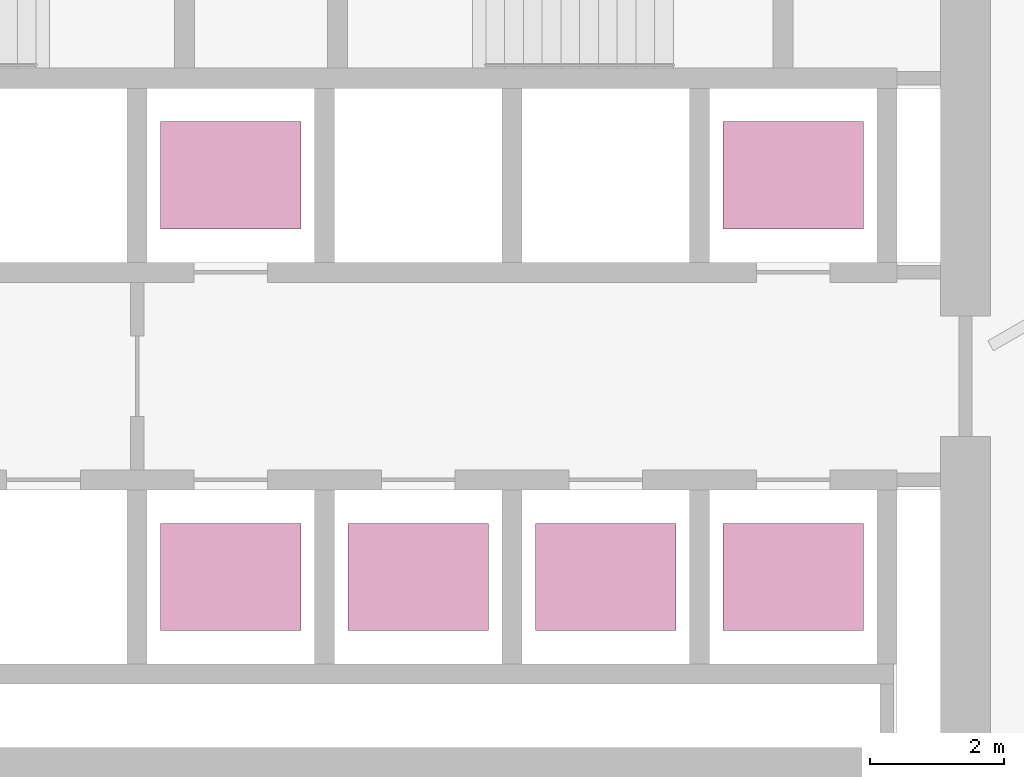
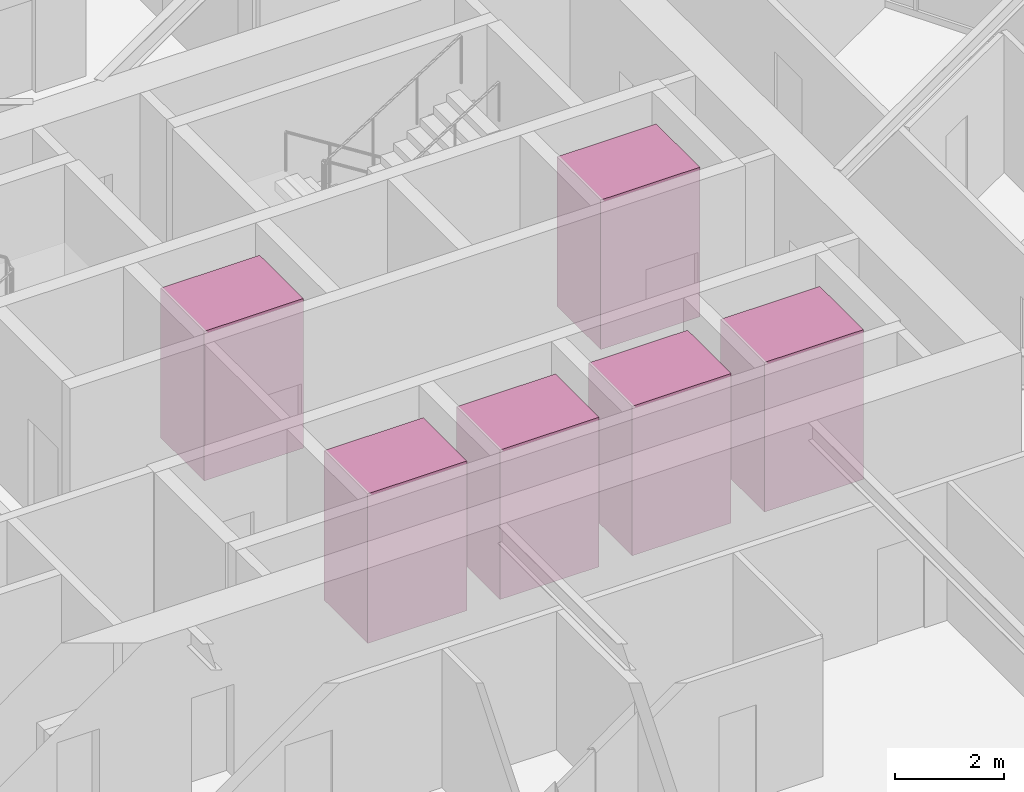
# One storey, part 19 of 19: 6 transport elements.
"""IFC4 building model written with IfcOpenShell, lengths in metres."""

from ifc_helpers import new_model, si_unit, direction, frame, origin, origin_2d, place, context, subcontext, project, spatial, rectangle, extrude, material, type_object, element, save


model = new_model("IFC4")

# Units and contexts
model_context = context("Model", 3, precision=1e-05, world=origin(), true_north=direction((0.0, 1.0)))
body_context = subcontext(model_context, "Body", "Model", "MODEL_VIEW")
ifc_project = project(units=[si_unit("LENGTHUNIT", "METRE"), si_unit("AREAUNIT", "SQUARE_METRE"), si_unit("VOLUMEUNIT", "CUBIC_METRE"), si_unit("PLANEANGLEUNIT", "RADIAN"), si_unit("MASSUNIT", "GRAM", prefix="KILO")], contexts=[model_context])

# Site, building, storey
site_placement = place(None, origin())
site = spatial("IfcSite", under=ifc_project, at=site_placement, CompositionType="ELEMENT")
building_placement = place(site_placement, origin())
building = spatial("IfcBuilding", under=site, at=building_placement, Name="Firuza Gate Tower and Library", CompositionType="ELEMENT")
storey_placement = place(building_placement, frame((0.0, 0.0, 233.800048828125)))
storey = spatial("IfcBuildingStorey", under=building, at=storey_placement, Name="L55", CompositionType="ELEMENT", Elevation=233.800048828125)

# Transport elements
ifc_material = material(Name="Stainless steel and glass", Category="steel")
transport_element_type = type_object("IfcTransportElementType", Name="Mid-rise lift car 2100x1600", PredefinedType="ELEVATOR", material=ifc_material)
for number, where, z_axis, x_axis, name in (
    (1, (74.64990234375, 70.300048828125, 0.0), (0.0, 0.0, 1.0), (1.0, 0.0, 0.0), "Mid-rise lift MR1"),
    (2, (77.449951171875, 70.300048828125, 0.0), (0.0, 0.0, 1.0), (1.0, 0.0, 0.0), "Mid-rise lift MR2"),
    (3, (80.25, 70.300048828125, 0.0), (0.0, 0.0, 1.0), (1.0, 0.0, 0.0), "Mid-rise lift MR3"),
    (4, (74.64990234375, 76.300048828125, 0.0), (0.0, 0.0, 1.0), (1.0, 0.0, 0.0), "Mid-rise lift MR4"),
    (5, (83.050048828125, 70.300048828125, 0.0), (0.0, 0.0, 1.0), (1.0, 0.0, 0.0), "Mid-rise lift MR5"),
    (6, (83.050048828125, 76.300048828125, 0.0), (0.0, 0.0, 1.0), (1.0, 0.0, 0.0), "Mid-rise lift MR6"),
):
    element("IfcTransportElement", number, at=place(storey_placement, frame(where, z_axis=z_axis, x_axis=x_axis)), inside=storey, type_object=transport_element_type, Name=name, PredefinedType="ELEVATOR", context=body_context, shape_type="SweptSolid", body=[
        extrude(rectangle(XDim=2.10009765625, YDim=1.60009765625, at=origin_2d()), origin(), (0.0, 0.0, 1.0), 3.35009765625),
    ])

save(model, "model.ifc")
